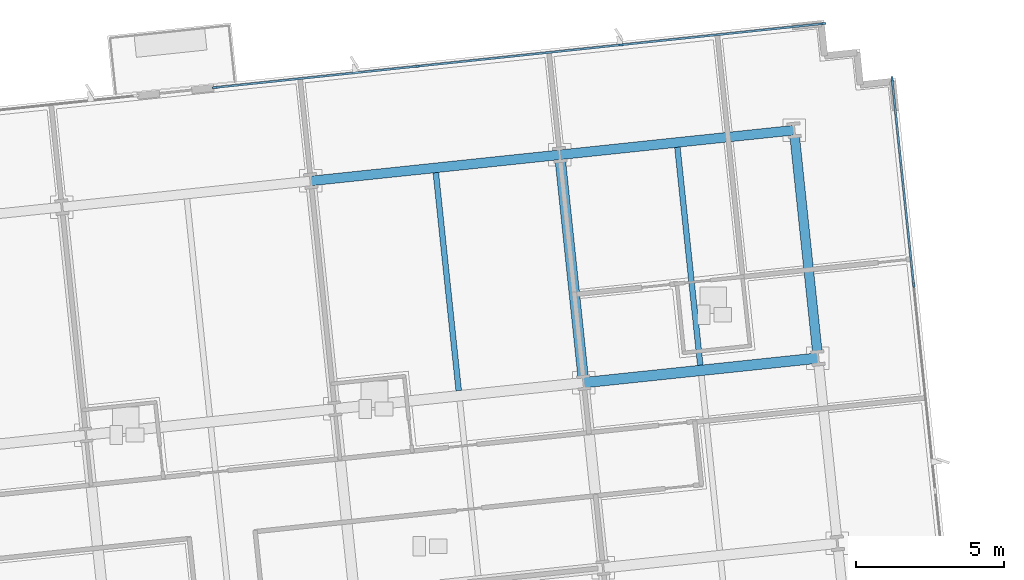
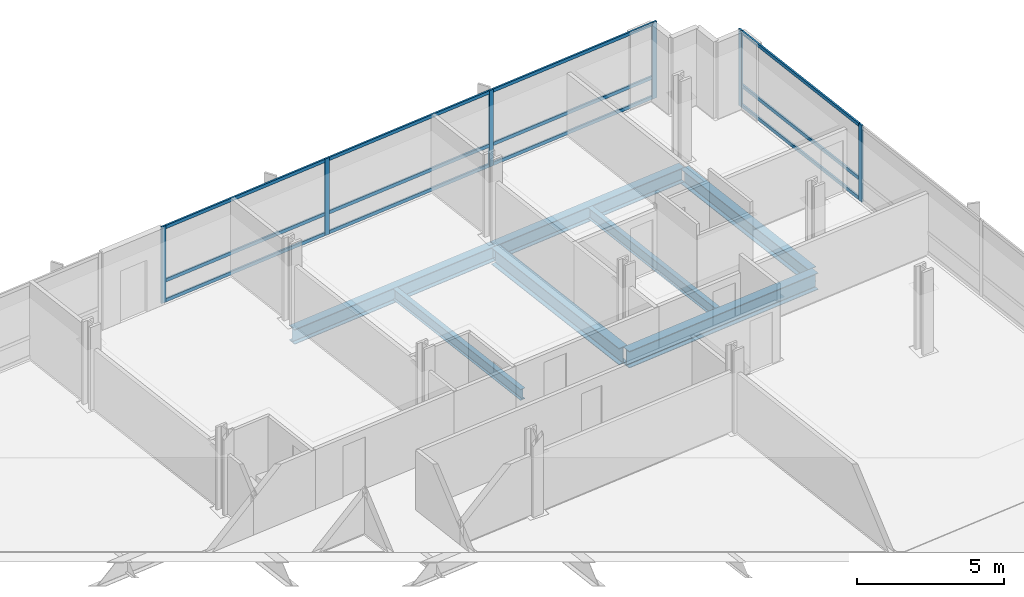
# One storey, part 8 of 18: 18 members, 7 beams, 2 elements without a shape of their own.
"""IFC4 building model written with IfcOpenShell, lengths in metres."""

from ifc_helpers import new_model, si_unit, direction, frame, origin, origin_2d, place, context, subcontext, project, spatial, rectangle, i_section, extrude, material, material_profile, profile_set, type_object, element, aggregate, save


model = new_model("IFC4")

# Units and contexts
model_context = context("Model", 3, precision=1e-05, world=origin(), true_north=direction((0.0, 1.0)))
body_context = subcontext(model_context, "Body", "Model", "MODEL_VIEW")
ifc_project = project(units=[si_unit("LENGTHUNIT", "METRE"), si_unit("AREAUNIT", "SQUARE_METRE"), si_unit("VOLUMEUNIT", "CUBIC_METRE"), si_unit("PLANEANGLEUNIT", "RADIAN"), si_unit("MASSUNIT", "GRAM", prefix="KILO")], contexts=[model_context])

# Site, building, storey
site_placement = place(None, origin())
site = spatial("IfcSite", under=ifc_project, at=site_placement, CompositionType="ELEMENT")
building_placement = place(site_placement, origin())
building = spatial("IfcBuilding", under=site, at=building_placement, Name="Solmavex Isthmus Hotel", CompositionType="ELEMENT")
storey_placement = place(building_placement, frame((0.0, 0.0, 123.60009765625)))
storey = spatial("IfcBuildingStorey", under=building, at=storey_placement, Name="L33", CompositionType="ELEMENT", Elevation=123.60009765625)

# Beams
ifc_material_1 = material(Name="Steel ASTM A992 Grade 50", Category="steel")
ifc_material_profile_1 = material_profile(ifc_material_1, i_section(OverallWidth=0.354736328125, OverallDepth=0.695556640625, WebThickness=0.015380859375, FlangeThickness=0.02490234375, FilletRadius=0.017822265625, at=origin_2d()), Name="W27X146")
ifc_profile_set_1 = profile_set([ifc_material_profile_1], Name="Steel ASTM A992 Grade 50")
beam_type_1 = type_object("IfcBeamType", Name="BM-BG-W27X146", PredefinedType="BEAM", material=ifc_profile_set_1)
beam_1_placement = place(storey_placement, frame((20.5615234375, 11.921875, -0.60791015625), z_axis=(0.994523402738, 0.104514120609, 0.0), x_axis=(-0.104514120609, 0.994523402738, 0.0)))
element("IfcBeam", 1, at=beam_1_placement, inside=storey, type_object=beam_type_1, Name="Floor Girder L33-UG18", PredefinedType="BEAM", context=body_context, shape_type="SweptSolid", body=[
    extrude(i_section(OverallWidth=0.354736328125, OverallDepth=0.695556640625, WebThickness=0.015380859375, FlangeThickness=0.02490234375, FilletRadius=0.017822265625, at=origin_2d()), origin(), (0.0, 0.0, 1.0), 7.968017578125),
])
beam_2_placement = place(storey_placement, frame((20.54296875, 12.098388671875, -0.60791015625), z_axis=(-0.1045578893, 0.994518802128, 0.0), x_axis=(-0.994518802128, -0.1045578893, 0.0)))
element("IfcBeam", 2, at=beam_2_placement, inside=storey, type_object=beam_type_1, Name="Floor Beam L33-VG45", PredefinedType="BEAM", context=body_context, shape_type="SweptSolid", body=[
    extrude(i_section(OverallWidth=0.354736328125, OverallDepth=0.695556640625, WebThickness=0.015380859375, FlangeThickness=0.02490234375, FilletRadius=0.017822265625, at=origin_2d()), origin(), (0.0, 0.0, 1.0), 7.4111328125),
])
ifc_material_profile_2 = material_profile(ifc_material_1, i_section(OverallWidth=0.1904296875, OverallDepth=0.456787109375, WebThickness=0.009033203125, FlangeThickness=0.014404296875, FilletRadius=0.0126953125, at=origin_2d()), Name="W18X50")
ifc_profile_set_2 = profile_set([ifc_material_profile_2], Name="Steel ASTM A992 Grade 50")
beam_type_2 = type_object("IfcBeamType", Name="BM-BJ-W18X50", PredefinedType="JOIST", material=ifc_profile_set_2)
for number, where, z_axis, x_axis, name in (
    (3, (16.3330078125, 11.65576171875, -0.488525390625), (-0.10452188296, 0.994522586964, 0.0), (-0.994522586964, -0.10452188296, 0.0), "Secondary Floor Joist L33-J18"),
    (4, (24.505126953125, 12.5146484375, -0.488525390625), (-0.10452188296, 0.994522586964, 0.0), (-0.994522586964, -0.10452188296, 0.0), "Secondary Floor Joist L33-J21"),
):
    element("IfcBeam", number, at=place(storey_placement, frame(where, z_axis=z_axis, x_axis=x_axis)), inside=storey, type_object=beam_type_2, Name=name, PredefinedType="JOIST", context=body_context, shape_type="SweptSolid", body=[
        extrude(i_section(OverallWidth=0.1904296875, OverallDepth=0.456787109375, WebThickness=0.009033203125, FlangeThickness=0.014404296875, FilletRadius=0.0126953125, at=origin_2d()), origin(), (0.0, 0.0, 1.0), 7.411376953125),
    ])
ifc_material_profile_3 = material_profile(ifc_material_1, i_section(OverallWidth=0.326416015625, OverallDepth=0.621826171875, WebThickness=0.015380859375, FlangeThickness=0.0244140625, FilletRadius=0.01513671875, at=origin_2d()), Name="W24X131")
ifc_profile_set_3 = profile_set([ifc_material_profile_3], Name="Steel ASTM A992 Grade 50")
beam_type_3 = type_object("IfcBeamType", Name="BM-SP-W24X131", PredefinedType="SPANDREL", material=ifc_profile_set_3)
beam_3_placement = place(storey_placement, frame((11.33154296875, 18.74658203125, -0.571044921875), z_axis=(0.994524082861, 0.104507648572, 0.0), x_axis=(-0.104507648572, 0.994524082861, 0.0)))
element("IfcBeam", 5, at=beam_3_placement, inside=storey, type_object=beam_type_3, Name="Floor Girder L33-UG23", PredefinedType="SPANDREL", context=body_context, shape_type="SweptSolid", body=[
    extrude(i_section(OverallWidth=0.326416015625, OverallDepth=0.621826171875, WebThickness=0.015380859375, FlangeThickness=0.0244140625, FilletRadius=0.01513671875, at=origin_2d()), origin(), (0.0, 0.0, 1.0), 8.466064453125),
])
beam_4_placement = place(storey_placement, frame((19.751220703125, 19.63134765625, -0.571044921875), z_axis=(0.994520217478, 0.10454442609, 0.0), x_axis=(-0.10454442609, 0.994520217478, 0.0)))
element("IfcBeam", 6, at=beam_4_placement, inside=storey, type_object=beam_type_3, Name="Floor Girder L33-UG24", PredefinedType="SPANDREL", context=body_context, shape_type="SweptSolid", body=[
    extrude(i_section(OverallWidth=0.326416015625, OverallDepth=0.621826171875, WebThickness=0.015380859375, FlangeThickness=0.0244140625, FilletRadius=0.01513671875, at=origin_2d()), origin(), (0.0, 0.0, 1.0), 7.968017578125),
])
beam_5_placement = place(storey_placement, frame((28.46728515625, 12.93115234375, -0.571044921875), z_axis=(-0.10452188296, 0.994522586964, 0.0), x_axis=(-0.994522586964, -0.10452188296, 0.0)))
element("IfcBeam", 7, at=beam_5_placement, inside=storey, type_object=beam_type_3, Name="Floor Beam L33-VG48", PredefinedType="SPANDREL", context=body_context, shape_type="SweptSolid", body=[
    extrude(i_section(OverallWidth=0.326416015625, OverallDepth=0.621826171875, WebThickness=0.015380859375, FlangeThickness=0.0244140625, FilletRadius=0.01513671875, at=origin_2d()), origin(), (0.0, 0.0, 1.0), 7.411376953125),
])

# Curtain wall, members
ifc_material_2 = material(Name="Aluminium alloy 6063-T6", Category="aluminium")
curtain_wall_type = type_object("IfcCurtainWallType", Name="CW-SYS-03", PredefinedType="NOTDEFINED", material=ifc_material_2)
curtain_wall_1_placement = place(storey_placement, origin())
curtain_wall_1 = element("IfcCurtainWall", 8, at=curtain_wall_1_placement, inside=storey, type_object=curtain_wall_type, Name="Stick Curtain Wall CWL-L33-N3", PredefinedType="NOTDEFINED")
ifc_material_profile_4 = material_profile(ifc_material_2, rectangle(XDim=0.070068359375, YDim=0.179931640625, at=origin_2d()), Name="CWM-70X180")
ifc_profile_set_4 = profile_set([ifc_material_profile_4], Name="Aluminium alloy 6063-T6")
member_type_1 = type_object("IfcMemberType", Name="CW-SYS-03-MUL", PredefinedType="MULLION", material=ifc_profile_set_4)
member_1_placement = place(storey_placement, frame((8.085693359375, 21.904541015625, 0.0), z_axis=(0.0, 0.0, 1.0), x_axis=(-0.10452837063, 0.994521905105, 0.0)))
member_1 = element("IfcMember", 9, at=member_1_placement, type_object=member_type_1, Name="CW-03 mullion 1", PredefinedType="MULLION", context=body_context, shape_type="SweptSolid", body=[
    extrude(rectangle(XDim=0.070068359375, YDim=0.179931640625, at=origin_2d()), origin(), (0.0, 0.0, 1.0), 3.18994140625),
])
member_2_placement = place(storey_placement, frame((14.935302734375, 22.62451171875, 0.0), z_axis=(0.0, 0.0, 1.0), x_axis=(-0.10452837063, 0.994521905105, 0.0)))
member_2 = element("IfcMember", 10, at=member_2_placement, type_object=member_type_1, Name="CW-03 mullion 2", PredefinedType="MULLION", context=body_context, shape_type="SweptSolid", body=[
    extrude(rectangle(XDim=0.070068359375, YDim=0.179931640625, at=origin_2d()), origin(), (0.0, 0.0, 1.0), 3.18994140625),
])
member_3_placement = place(storey_placement, frame((21.819580078125, 23.347900390625, 0.0), z_axis=(0.0, 0.0, 1.0), x_axis=(-0.10452837063, 0.994521905105, 0.0)))
member_3 = element("IfcMember", 11, at=member_3_placement, type_object=member_type_1, Name="CW-03 mullion 3", PredefinedType="MULLION", context=body_context, shape_type="SweptSolid", body=[
    extrude(rectangle(XDim=0.070068359375, YDim=0.179931640625, at=origin_2d()), origin(), (0.0, 0.0, 1.0), 3.18994140625),
])
member_4_placement = place(storey_placement, frame((28.669189453125, 24.06787109375, 0.0), z_axis=(0.0, 0.0, 1.0), x_axis=(-0.10452837063, 0.994521905105, 0.0)))
member_4 = element("IfcMember", 12, at=member_4_placement, type_object=member_type_1, Name="CW-03 mullion 4", PredefinedType="MULLION", context=body_context, shape_type="SweptSolid", body=[
    extrude(rectangle(XDim=0.070068359375, YDim=0.179931640625, at=origin_2d()), origin(), (0.0, 0.0, 1.0), 3.18994140625),
])

curtain_wall_2_placement = place(storey_placement, origin())
curtain_wall_2 = element("IfcCurtainWall", 13, at=curtain_wall_2_placement, inside=storey, type_object=curtain_wall_type, Name="Stick Curtain Wall CWL-L33-E1", PredefinedType="NOTDEFINED")
member_5_placement = place(storey_placement, frame((31.723876953125, 15.23876953125, 0.0), z_axis=(0.0, 0.0, 1.0), x_axis=(-0.994521893044, -0.104528485381, 0.0)))
member_5 = element("IfcMember", 14, at=member_5_placement, type_object=member_type_1, Name="CW-03 mullion 5", PredefinedType="MULLION", context=body_context, shape_type="SweptSolid", body=[
    extrude(rectangle(XDim=0.070068359375, YDim=0.179931640625, at=origin_2d()), origin(), (0.0, 0.0, 1.0), 3.18994140625),
])
member_6_placement = place(storey_placement, frame((30.99365234375, 22.185546875, 0.0), z_axis=(0.0, 0.0, 1.0), x_axis=(-0.994521893044, -0.104528485381, 0.0)))
member_6 = element("IfcMember", 15, at=member_6_placement, type_object=member_type_1, Name="CW-03 mullion 6", PredefinedType="MULLION", context=body_context, shape_type="SweptSolid", body=[
    extrude(rectangle(XDim=0.070068359375, YDim=0.179931640625, at=origin_2d()), origin(), (0.0, 0.0, 1.0), 3.18994140625),
])

# Member
ifc_material_profile_5 = material_profile(ifc_material_2, rectangle(XDim=0.070068359375, YDim=0.139892578125, at=origin_2d()), Name="CWT-70X140")
ifc_profile_set_5 = profile_set([ifc_material_profile_5], Name="Aluminium alloy 6063-T6")
member_type_2 = type_object("IfcMemberType", Name="CW-SYS-03-TRN", PredefinedType="USERDEFINED", material=ifc_profile_set_5)
member_7_placement = place(storey_placement, frame((8.120361328125, 21.908203125, 0.06982421875), z_axis=(0.99452133588, 0.104533786303, 0.0), x_axis=(-0.104533786303, 0.99452133588, 0.0)))
member_7 = element("IfcMember", 16, at=member_7_placement, type_object=member_type_2, Name="CW-03 transom 1.1", ObjectType="TRANSOM", PredefinedType="USERDEFINED", context=body_context, shape_type="SweptSolid", body=[
    extrude(rectangle(XDim=0.070068359375, YDim=0.139892578125, at=origin_2d()), origin(), (0.0, 0.0, 1.0), 6.8173828125),
])

member_8_placement = place(storey_placement, frame((8.120361328125, 21.908203125, 0.89990234375), z_axis=(0.99452133588, 0.104533786303, 0.0), x_axis=(-0.104533786303, 0.99452133588, 0.0)))
member_8 = element("IfcMember", 17, at=member_8_placement, type_object=member_type_2, Name="CW-03 transom 1.2", ObjectType="TRANSOM", PredefinedType="USERDEFINED", context=body_context, shape_type="SweptSolid", body=[
    extrude(rectangle(XDim=0.070068359375, YDim=0.139892578125, at=origin_2d()), origin(), (0.0, 0.0, 1.0), 6.8173828125),
])

member_9_placement = place(storey_placement, frame((8.120361328125, 21.908203125, 3.119873046875), z_axis=(0.99452133588, 0.104533786303, 0.0), x_axis=(-0.104533786303, 0.99452133588, 0.0)))
member_9 = element("IfcMember", 18, at=member_9_placement, type_object=member_type_2, Name="CW-03 transom 1.3", ObjectType="TRANSOM", PredefinedType="USERDEFINED", context=body_context, shape_type="SweptSolid", body=[
    extrude(rectangle(XDim=0.070068359375, YDim=0.139892578125, at=origin_2d()), origin(), (0.0, 0.0, 1.0), 6.8173828125),
])

member_10_placement = place(storey_placement, frame((14.969970703125, 22.628173828125, 0.06982421875), z_axis=(0.994525152797, 0.104497466259, 0.0), x_axis=(-0.104497466259, 0.994525152797, 0.0)))
member_10 = element("IfcMember", 19, at=member_10_placement, type_object=member_type_2, Name="CW-03 transom 2.1", ObjectType="TRANSOM", PredefinedType="USERDEFINED", context=body_context, shape_type="SweptSolid", body=[
    extrude(rectangle(XDim=0.070068359375, YDim=0.139892578125, at=origin_2d()), origin(), (0.0, 0.0, 1.0), 6.8525390625),
])

member_11_placement = place(storey_placement, frame((14.969970703125, 22.628173828125, 0.89990234375), z_axis=(0.994525152797, 0.104497466259, 0.0), x_axis=(-0.104497466259, 0.994525152797, 0.0)))
member_11 = element("IfcMember", 20, at=member_11_placement, type_object=member_type_2, Name="CW-03 transom 2.2", ObjectType="TRANSOM", PredefinedType="USERDEFINED", context=body_context, shape_type="SweptSolid", body=[
    extrude(rectangle(XDim=0.070068359375, YDim=0.139892578125, at=origin_2d()), origin(), (0.0, 0.0, 1.0), 6.8525390625),
])

member_12_placement = place(storey_placement, frame((14.969970703125, 22.628173828125, 3.119873046875), z_axis=(0.994525152797, 0.104497466259, 0.0), x_axis=(-0.104497466259, 0.994525152797, 0.0)))
member_12 = element("IfcMember", 21, at=member_12_placement, type_object=member_type_2, Name="CW-03 transom 2.3", ObjectType="TRANSOM", PredefinedType="USERDEFINED", context=body_context, shape_type="SweptSolid", body=[
    extrude(rectangle(XDim=0.070068359375, YDim=0.139892578125, at=origin_2d()), origin(), (0.0, 0.0, 1.0), 6.8525390625),
])

member_13_placement = place(storey_placement, frame((21.8544921875, 23.3515625, 0.06982421875), z_axis=(0.99452133588, 0.104533786303, 0.0), x_axis=(-0.104533786303, 0.99452133588, 0.0)))
member_13 = element("IfcMember", 22, at=member_13_placement, type_object=member_type_2, Name="CW-03 transom 3.1", ObjectType="TRANSOM", PredefinedType="USERDEFINED", context=body_context, shape_type="SweptSolid", body=[
    extrude(rectangle(XDim=0.070068359375, YDim=0.139892578125, at=origin_2d()), origin(), (0.0, 0.0, 1.0), 6.8173828125),
])

member_14_placement = place(storey_placement, frame((21.8544921875, 23.3515625, 0.89990234375), z_axis=(0.99452133588, 0.104533786303, 0.0), x_axis=(-0.104533786303, 0.99452133588, 0.0)))
member_14 = element("IfcMember", 23, at=member_14_placement, type_object=member_type_2, Name="CW-03 transom 3.2", ObjectType="TRANSOM", PredefinedType="USERDEFINED", context=body_context, shape_type="SweptSolid", body=[
    extrude(rectangle(XDim=0.070068359375, YDim=0.139892578125, at=origin_2d()), origin(), (0.0, 0.0, 1.0), 6.8173828125),
])

member_15_placement = place(storey_placement, frame((21.8544921875, 23.3515625, 3.119873046875), z_axis=(0.99452133588, 0.104533786303, 0.0), x_axis=(-0.104533786303, 0.99452133588, 0.0)))
member_15 = element("IfcMember", 24, at=member_15_placement, type_object=member_type_2, Name="CW-03 transom 3.3", ObjectType="TRANSOM", PredefinedType="USERDEFINED", context=body_context, shape_type="SweptSolid", body=[
    extrude(rectangle(XDim=0.070068359375, YDim=0.139892578125, at=origin_2d()), origin(), (0.0, 0.0, 1.0), 6.8173828125),
])

aggregate(curtain_wall_1, [member_1, member_2, member_3, member_4, member_7, member_8, member_9, member_10, member_11, member_12, member_13, member_14, member_15])

member_16_placement = place(storey_placement, frame((31.72021484375, 15.273681640625, 0.06982421875), z_axis=(-0.104539595565, 0.994520725254, 0.0), x_axis=(-0.994520725254, -0.104539595565, 0.0)))
member_16 = element("IfcMember", 25, at=member_16_placement, type_object=member_type_2, Name="CW-03 transom 5.1", ObjectType="TRANSOM", PredefinedType="USERDEFINED", context=body_context, shape_type="SweptSolid", body=[
    extrude(rectangle(XDim=0.070068359375, YDim=0.139892578125, at=origin_2d()), origin(), (0.0, 0.0, 1.0), 6.9150390625),
])

member_17_placement = place(storey_placement, frame((31.72021484375, 15.273681640625, 0.89990234375), z_axis=(-0.104539595565, 0.994520725254, 0.0), x_axis=(-0.994520725254, -0.104539595565, 0.0)))
member_17 = element("IfcMember", 26, at=member_17_placement, type_object=member_type_2, Name="CW-03 transom 5.2", ObjectType="TRANSOM", PredefinedType="USERDEFINED", context=body_context, shape_type="SweptSolid", body=[
    extrude(rectangle(XDim=0.070068359375, YDim=0.139892578125, at=origin_2d()), origin(), (0.0, 0.0, 1.0), 6.9150390625),
])

member_18_placement = place(storey_placement, frame((31.72021484375, 15.273681640625, 3.119873046875), z_axis=(-0.104539595565, 0.994520725254, 0.0), x_axis=(-0.994520725254, -0.104539595565, 0.0)))
member_18 = element("IfcMember", 27, at=member_18_placement, type_object=member_type_2, Name="CW-03 transom 5.3", ObjectType="TRANSOM", PredefinedType="USERDEFINED", context=body_context, shape_type="SweptSolid", body=[
    extrude(rectangle(XDim=0.070068359375, YDim=0.139892578125, at=origin_2d()), origin(), (0.0, 0.0, 1.0), 6.9150390625),
])

aggregate(curtain_wall_2, [member_5, member_6, member_16, member_17, member_18])

save(model, "model.ifc")
